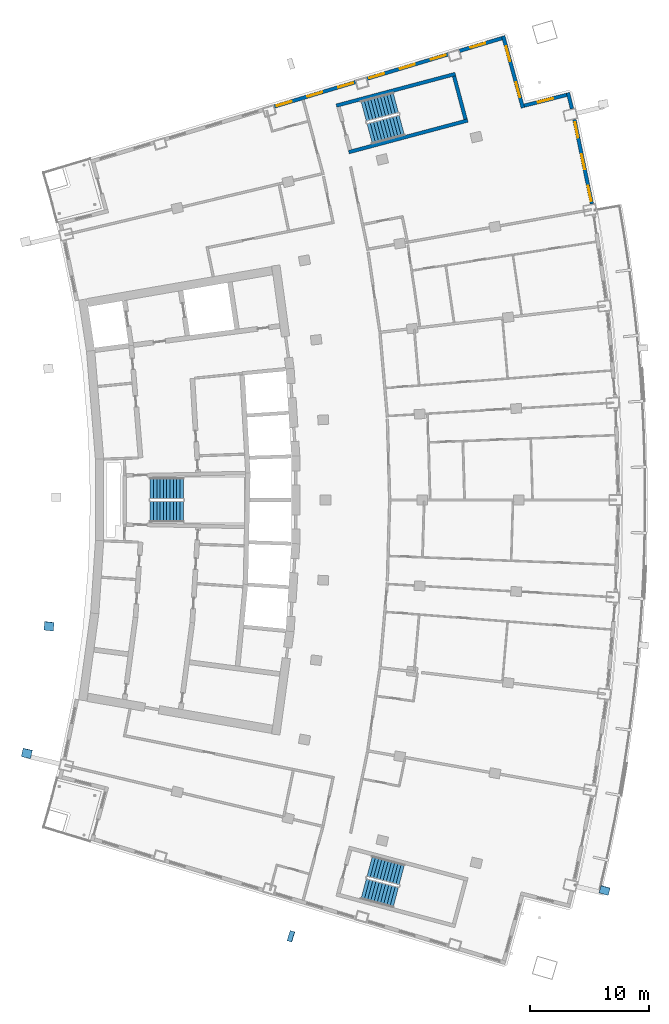
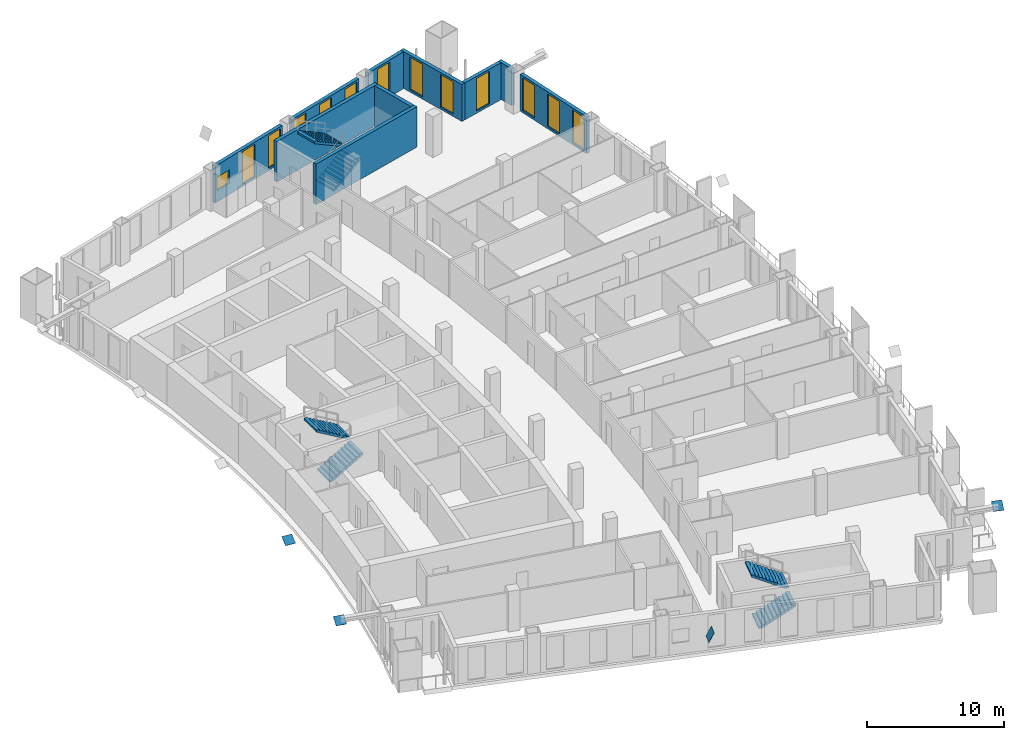
# One storey, part 17 of 21: 13 windows, 10 walls, 6 stair flights, 4 discrete accessories, 13 openings, 3 elements without a shape of their own.
"""IFC4 building model written with IfcOpenShell, lengths in metres."""

from ifc_helpers import new_model, si_unit, direction, frame, frame_2d, origin, origin_2d, place, context, subcontext, project, spatial, polyline, rectangle, outline, extrude, material, layer, layer_set, material_profile, profile_set, type_object, element, fill, aggregate, save


model = new_model("IFC4")

# Units and contexts
model_context = context("Model", 3, precision=1e-05, world=origin(), true_north=direction((0.0, 1.0)))
body_context = subcontext(model_context, "Body", "Model", "MODEL_VIEW")
ifc_project = project(units=[si_unit("LENGTHUNIT", "METRE"), si_unit("AREAUNIT", "SQUARE_METRE"), si_unit("VOLUMEUNIT", "CUBIC_METRE"), si_unit("PLANEANGLEUNIT", "RADIAN"), si_unit("MASSUNIT", "GRAM", prefix="KILO")], contexts=[model_context])

# Site, building, storey
site_placement = place(None, origin())
site = spatial("IfcSite", under=ifc_project, at=site_placement, CompositionType="ELEMENT")
building_placement = place(site_placement, origin())
building = spatial("IfcBuilding", under=site, at=building_placement, Name="Alderwake Tower", CompositionType="ELEMENT")
storey_placement = place(building_placement, frame((0.0, 0.0, 146.0)))
storey = spatial("IfcBuildingStorey", under=building, at=storey_placement, Name="L35", CompositionType="ELEMENT", Elevation=146.0)

# Walls
ifc_material_1 = material(Name="Concrete C70/85", Category="concrete")
ifc_layer_1 = layer(ifc_material_1, 0.300048828125)
ifc_layer_set_1 = layer_set([ifc_layer_1], Name="Core wall stair enclosure 300 C70-85")
wall_type_1 = type_object("IfcWallType", Name="Core wall stair enclosure 300 C70-85", PredefinedType="SHEAR", material=ifc_layer_set_1)
for number, where, z_axis, x_axis, name in (
    (1, (36.71142578125, 94.182373046875, 0.0), (0.0, 0.0, 1.0), (0.966309214305, 0.257383958996, 0.0), "Core wall CW.082"),
    (2, (37.75390625, 90.268798828125, 0.0), (0.0, 0.0, 1.0), (0.966309214305, 0.257383958996, 0.0), "Core wall CW.084"),
):
    element("IfcWall", number, at=place(storey_placement, frame(where, z_axis=z_axis, x_axis=x_axis)), inside=storey, type_object=wall_type_1, Name=name, PredefinedType="SHEAR", context=body_context, shape_type="SweptSolid", body=[
        extrude(rectangle(XDim=10.360107421875, YDim=0.300048828125, at=frame_2d((5.18017578125, 0.0))), origin(), (0.0, 0.0, 1.0), 3.60009765625),
    ])
wall_1_placement = place(storey_placement, frame((47.581298828125, 93.041748046875, 0.0), z_axis=(0.0, 0.0, 1.0), x_axis=(-0.257366821694, 0.966313778796, 0.0)))
element("IfcWall", 3, at=wall_1_placement, inside=storey, type_object=wall_type_1, Name="Core wall CW.081", PredefinedType="SHEAR", context=body_context, shape_type="SweptSolid", body=[
    extrude(rectangle(XDim=3.749755859375, YDim=0.300048828125, at=frame_2d((1.875, 0.0))), origin(), (0.0, 0.0, 1.0), 3.60009765625),
])

# Wall, openings, windows
ifc_material_2 = material(Name="Precast concrete C50/60 spandrel panel", Category="concrete")
ifc_layer_2 = layer(ifc_material_2, 0.300048828125)
ifc_layer_set_2 = layer_set([ifc_layer_2], Name="External wall EW1 Precast concrete C50/60 spandrel")
wall_type_2 = type_object("IfcWallType", Name="External wall EW1 Precast concrete C50/60 spandrel", PredefinedType="SOLIDWALL", material=ifc_layer_set_2)
wall_2_placement = place(storey_placement, frame((58.208984375, 85.916748046875, 0.0), z_axis=(0.0, 0.0, 1.0), x_axis=(-0.202747108549, 0.97923113205, 0.0)))
wall_2 = element("IfcWall", 4, at=wall_2_placement, inside=storey, type_object=wall_type_2, Name="External wall 19", PredefinedType="SOLIDWALL", context=body_context, shape_type="SweptSolid", body=[
    extrude(rectangle(XDim=7.245361328125, YDim=0.300048828125, at=frame_2d((3.62255859375, 0.0))), origin(), (0.0, 0.0, 1.0), 3.280029296875),
])
opening_1_placement = place(wall_2_placement, frame((0.2470703125, 0.0, 0.199951171875)))
opening_1 = element("IfcOpeningElement", 5, at=opening_1_placement, cuts=wall_2, Name="Opening W1", PredefinedType="OPENING", context=body_context, shape_type="SweptSolid", body=[
    extrude(rectangle(XDim=1.300048828125, YDim=2.89990234375, at=frame_2d((0.64990234375, 1.449951171875))), frame((0.0, 0.159912109375, 0.0), z_axis=(0.0, -1.0, 0.0), x_axis=(1.0, 0.0, 0.0)), (0.0, 0.0, 1.0), 0.320068359375),
])
opening_2_placement = place(wall_2_placement, frame((2.97265625, 0.0, 0.199951171875)))
opening_2 = element("IfcOpeningElement", 6, at=opening_2_placement, cuts=wall_2, Name="Opening W1", PredefinedType="OPENING", context=body_context, shape_type="SweptSolid", body=[
    extrude(rectangle(XDim=1.300048828125, YDim=2.89990234375, at=frame_2d((0.64990234375, 1.449951171875))), frame((0.0, 0.159912109375, 0.0), z_axis=(0.0, -1.0, 0.0), x_axis=(1.0, 0.0, 0.0)), (0.0, 0.0, 1.0), 0.320068359375),
])
opening_3_placement = place(wall_2_placement, frame((5.698486328125, 0.0, 0.199951171875)))
opening_3 = element("IfcOpeningElement", 7, at=opening_3_placement, cuts=wall_2, Name="Opening W1", PredefinedType="OPENING", context=body_context, shape_type="SweptSolid", body=[
    extrude(rectangle(XDim=1.300048828125, YDim=2.89990234375, at=frame_2d((0.64990234375, 1.449951171875))), frame((0.0, 0.159912109375, 0.0), z_axis=(0.0, -1.0, 0.0), x_axis=(1.0, 0.0, 0.0)), (0.0, 0.0, 1.0), 0.320068359375),
])
ifc_material_3 = material(Name="Bronze tinted glass in aluminium frame", Category="aluminium")
window_type_1 = type_object("IfcWindowType", Name="Window W1 tall fixed and vent", PartitioningType="DOUBLE_PANEL_VERTICAL", PredefinedType="WINDOW", material=ifc_material_3)
window_1_placement = place(opening_1_placement, origin())
window_1 = element("IfcWindow", 8, at=window_1_placement, inside=storey, type_object=window_type_1, Name="Window W1 tall fixed and vent", OverallHeight=2.89990234375, OverallWidth=1.300048828125, PartitioningType="DOUBLE_PANEL_VERTICAL", PredefinedType="WINDOW", context=body_context, shape_type="SweptSolid", body=[
    extrude(rectangle(XDim=1.300048828125, YDim=2.89990234375, at=frame_2d((0.64990234375, 1.449951171875))), frame((0.0, 0.030029296875, 0.0), z_axis=(0.0, -1.0, 0.0), x_axis=(1.0, 0.0, 0.0)), (0.0, 0.0, 1.0), 0.06005859375),
])
fill(opening_1, window_1)
window_2_placement = place(opening_2_placement, origin())
window_2 = element("IfcWindow", 9, at=window_2_placement, inside=storey, type_object=window_type_1, Name="Window W1 tall fixed and vent", OverallHeight=2.89990234375, OverallWidth=1.300048828125, PartitioningType="DOUBLE_PANEL_VERTICAL", PredefinedType="WINDOW", context=body_context, shape_type="SweptSolid", body=[
    extrude(rectangle(XDim=1.300048828125, YDim=2.89990234375, at=frame_2d((0.64990234375, 1.449951171875))), frame((0.0, 0.030029296875, 0.0), z_axis=(0.0, -1.0, 0.0), x_axis=(1.0, 0.0, 0.0)), (0.0, 0.0, 1.0), 0.06005859375),
])
fill(opening_2, window_2)
window_3_placement = place(opening_3_placement, origin())
window_3 = element("IfcWindow", 10, at=window_3_placement, inside=storey, type_object=window_type_1, Name="Window W1 tall fixed and vent", OverallHeight=2.89990234375, OverallWidth=1.300048828125, PartitioningType="DOUBLE_PANEL_VERTICAL", PredefinedType="WINDOW", context=body_context, shape_type="SweptSolid", body=[
    extrude(rectangle(XDim=1.300048828125, YDim=2.89990234375, at=frame_2d((0.64990234375, 1.449951171875))), frame((0.0, 0.030029296875, 0.0), z_axis=(0.0, -1.0, 0.0), x_axis=(1.0, 0.0, 0.0)), (0.0, 0.0, 1.0), 0.06005859375),
])
fill(opening_3, window_3)

# Wall
wall_3_placement = place(storey_placement, frame((56.535400390625, 93.917724609375, 0.0), z_axis=(0.0, 0.0, 1.0), x_axis=(-0.238283937636, 0.971195533899, 0.0)))
element("IfcWall", 11, at=wall_3_placement, inside=storey, type_object=wall_type_2, Name="External wall 20", PredefinedType="SOLIDWALL", context=body_context, shape_type="SweptSolid", body=[
    extrude(rectangle(XDim=1.392333984375, YDim=0.300048828125, at=frame_2d((0.6962890625, 0.0))), origin(), (0.0, 0.0, 1.0), 3.280029296875),
])

# Wall, opening, window
ifc_material_4 = material(Name="Bronze metal cladding on lightweight framing")
ifc_layer_3 = layer(ifc_material_4, 0.300048828125)
ifc_layer_set_3 = layer_set([ifc_layer_3], Name="External wall EW2 bronze metal cladding")
wall_type_3 = type_object("IfcWallType", Name="External wall EW2 bronze metal cladding", PredefinedType="SOLIDWALL", material=ifc_layer_set_3)
wall_4_placement = place(storey_placement, frame((56.09375, 95.087646484375, 0.0), z_axis=(0.0, 0.0, 1.0), x_axis=(-0.96941119971, -0.245442306614, 0.0)))
wall_4 = element("IfcWall", 12, at=wall_4_placement, inside=storey, type_object=wall_type_3, Name="External wall 21", PredefinedType="SOLIDWALL", context=body_context, shape_type="SweptSolid", body=[
    extrude(rectangle(XDim=3.6943359375, YDim=0.300048828125, at=frame_2d((1.84716796875, 0.0))), origin(), (0.0, 0.0, 1.0), 3.280029296875),
])
opening_4_placement = place(wall_4_placement, frame((1.197021484375, 0.0, 0.199951171875)))
opening_4 = element("IfcOpeningElement", 13, at=opening_4_placement, cuts=wall_4, Name="Opening W1", PredefinedType="OPENING", context=body_context, shape_type="SweptSolid", body=[
    extrude(rectangle(XDim=1.300048828125, YDim=2.89990234375, at=frame_2d((0.64990234375, 1.449951171875))), frame((0.0, 0.159912109375, 0.0), z_axis=(0.0, -1.0, 0.0), x_axis=(1.0, 0.0, 0.0)), (0.0, 0.0, 1.0), 0.320068359375),
])
window_4_placement = place(opening_4_placement, origin())
window_4 = element("IfcWindow", 14, at=window_4_placement, inside=storey, type_object=window_type_1, Name="Window W1 tall fixed and vent", OverallHeight=2.89990234375, OverallWidth=1.300048828125, PartitioningType="DOUBLE_PANEL_VERTICAL", PredefinedType="WINDOW", context=body_context, shape_type="SweptSolid", body=[
    extrude(rectangle(XDim=1.300048828125, YDim=2.89990234375, at=frame_2d((0.64990234375, 1.449951171875))), frame((0.0, 0.030029296875, 0.0), z_axis=(0.0, -1.0, 0.0), x_axis=(1.0, 0.0, 0.0)), (0.0, 0.0, 1.0), 0.06005859375),
])
fill(opening_4, window_4)

# Wall, openings, windows
wall_5_placement = place(storey_placement, frame((52.40673828125, 93.99951171875, 0.0), z_axis=(0.0, 0.0, 1.0), x_axis=(-0.265084072533, 0.964225302764, 0.0)))
wall_5 = element("IfcWall", 15, at=wall_5_placement, inside=storey, type_object=wall_type_3, Name="External wall 22", PredefinedType="SOLIDWALL", context=body_context, shape_type="SweptSolid", body=[
    extrude(rectangle(XDim=6.269287109375, YDim=0.300048828125, at=frame_2d((3.134765625, 0.0))), origin(), (0.0, 0.0, 1.0), 3.280029296875),
])
opening_5_placement = place(wall_5_placement, frame((0.917236328125, 0.0, 0.199951171875)))
opening_5 = element("IfcOpeningElement", 16, at=opening_5_placement, cuts=wall_5, Name="Opening W1", PredefinedType="OPENING", context=body_context, shape_type="SweptSolid", body=[
    extrude(rectangle(XDim=1.300048828125, YDim=2.89990234375, at=frame_2d((0.64990234375, 1.449951171875))), frame((0.0, 0.159912109375, 0.0), z_axis=(0.0, -1.0, 0.0), x_axis=(1.0, 0.0, 0.0)), (0.0, 0.0, 1.0), 0.320068359375),
])
opening_6_placement = place(wall_5_placement, frame((4.052001953125, 0.0, 0.199951171875)))
opening_6 = element("IfcOpeningElement", 17, at=opening_6_placement, cuts=wall_5, Name="Opening W1", PredefinedType="OPENING", context=body_context, shape_type="SweptSolid", body=[
    extrude(rectangle(XDim=1.300048828125, YDim=2.89990234375, at=frame_2d((0.64990234375, 1.449951171875))), frame((0.0, 0.159912109375, 0.0), z_axis=(0.0, -1.0, 0.0), x_axis=(1.0, 0.0, 0.0)), (0.0, 0.0, 1.0), 0.320068359375),
])
window_5_placement = place(opening_5_placement, origin())
window_5 = element("IfcWindow", 18, at=window_5_placement, inside=storey, type_object=window_type_1, Name="Window W1 tall fixed and vent", OverallHeight=2.89990234375, OverallWidth=1.300048828125, PartitioningType="DOUBLE_PANEL_VERTICAL", PredefinedType="WINDOW", context=body_context, shape_type="SweptSolid", body=[
    extrude(rectangle(XDim=1.300048828125, YDim=2.89990234375, at=frame_2d((0.64990234375, 1.449951171875))), frame((0.0, 0.030029296875, 0.0), z_axis=(0.0, -1.0, 0.0), x_axis=(1.0, 0.0, 0.0)), (0.0, 0.0, 1.0), 0.06005859375),
])
fill(opening_5, window_5)
window_6_placement = place(opening_6_placement, origin())
window_6 = element("IfcWindow", 19, at=window_6_placement, inside=storey, type_object=window_type_1, Name="Window W1 tall fixed and vent", OverallHeight=2.89990234375, OverallWidth=1.300048828125, PartitioningType="DOUBLE_PANEL_VERTICAL", PredefinedType="WINDOW", context=body_context, shape_type="SweptSolid", body=[
    extrude(rectangle(XDim=1.300048828125, YDim=2.89990234375, at=frame_2d((0.64990234375, 1.449951171875))), frame((0.0, 0.030029296875, 0.0), z_axis=(0.0, -1.0, 0.0), x_axis=(1.0, 0.0, 0.0)), (0.0, 0.0, 1.0), 0.06005859375),
])
fill(opening_6, window_6)

# Wall, opening, window
wall_6_placement = place(storey_placement, frame((50.640869140625, 99.856689453125, 0.0), z_axis=(0.0, 0.0, 1.0), x_axis=(-0.957777625264, -0.287510035552, 0.0)))
wall_6 = element("IfcWall", 20, at=wall_6_placement, inside=storey, type_object=wall_type_3, Name="External wall 23", PredefinedType="SOLIDWALL", context=body_context, shape_type="SweptSolid", body=[
    extrude(rectangle(XDim=3.7294921875, YDim=0.300048828125, at=frame_2d((1.86474609375, 0.0))), origin(), (0.0, 0.0, 1.0), 3.280029296875),
])
opening_7_placement = place(wall_6_placement, frame((1.465576171875, 0.0, 0.199951171875)))
opening_7 = element("IfcOpeningElement", 21, at=opening_7_placement, cuts=wall_6, Name="Opening W1", PredefinedType="OPENING", context=body_context, shape_type="SweptSolid", body=[
    extrude(rectangle(XDim=1.300048828125, YDim=2.89990234375, at=frame_2d((0.64990234375, 1.449951171875))), frame((0.0, 0.159912109375, 0.0), z_axis=(0.0, -1.0, 0.0), x_axis=(1.0, 0.0, 0.0)), (0.0, 0.0, 1.0), 0.320068359375),
])
window_7_placement = place(opening_7_placement, origin())
window_7 = element("IfcWindow", 22, at=window_7_placement, inside=storey, type_object=window_type_1, Name="Window W1 tall fixed and vent", OverallHeight=2.89990234375, OverallWidth=1.300048828125, PartitioningType="DOUBLE_PANEL_VERTICAL", PredefinedType="WINDOW", context=body_context, shape_type="SweptSolid", body=[
    extrude(rectangle(XDim=1.300048828125, YDim=2.89990234375, at=frame_2d((0.64990234375, 1.449951171875))), frame((0.0, 0.030029296875, 0.0), z_axis=(0.0, -1.0, 0.0), x_axis=(1.0, 0.0, 0.0)), (0.0, 0.0, 1.0), 0.06005859375),
])
fill(opening_7, window_7)

# Wall, openings, windows
wall_7_placement = place(storey_placement, frame((46.107666015625, 98.495849609375, 0.0), z_axis=(0.0, 0.0, 1.0), x_axis=(-0.957760288356, -0.287567783397, 0.0)))
wall_7 = element("IfcWall", 23, at=wall_7_placement, inside=storey, type_object=wall_type_3, Name="External wall 24", PredefinedType="SOLIDWALL", context=body_context, shape_type="SweptSolid", body=[
    extrude(rectangle(XDim=7.1298828125, YDim=0.300048828125, at=frame_2d((3.56494140625, 0.0))), origin(), (0.0, 0.0, 1.0), 3.280029296875),
])
opening_8_placement = place(wall_7_placement, frame((0.203857421875, 0.0, 0.199951171875)))
opening_8 = element("IfcOpeningElement", 24, at=opening_8_placement, cuts=wall_7, Name="Opening W1", PredefinedType="OPENING", context=body_context, shape_type="SweptSolid", body=[
    extrude(rectangle(XDim=1.300048828125, YDim=2.89990234375, at=frame_2d((0.64990234375, 1.449951171875))), frame((0.0, 0.159912109375, 0.0), z_axis=(0.0, -1.0, 0.0), x_axis=(1.0, 0.0, 0.0)), (0.0, 0.0, 1.0), 0.320068359375),
])
opening_9_placement = place(wall_7_placement, frame((2.914794921875, 0.0, 0.199951171875)))
opening_9 = element("IfcOpeningElement", 25, at=opening_9_placement, cuts=wall_7, Name="Opening W1", PredefinedType="OPENING", context=body_context, shape_type="SweptSolid", body=[
    extrude(rectangle(XDim=1.300048828125, YDim=2.89990234375, at=frame_2d((0.64990234375, 1.449951171875))), frame((0.0, 0.159912109375, 0.0), z_axis=(0.0, -1.0, 0.0), x_axis=(1.0, 0.0, 0.0)), (0.0, 0.0, 1.0), 0.320068359375),
])
opening_10_placement = place(wall_7_placement, frame((5.626220703125, 0.0, 0.199951171875)))
opening_10 = element("IfcOpeningElement", 26, at=opening_10_placement, cuts=wall_7, Name="Opening W1", PredefinedType="OPENING", context=body_context, shape_type="SweptSolid", body=[
    extrude(rectangle(XDim=1.300048828125, YDim=2.89990234375, at=frame_2d((0.64990234375, 1.449951171875))), frame((0.0, 0.159912109375, 0.0), z_axis=(0.0, -1.0, 0.0), x_axis=(1.0, 0.0, 0.0)), (0.0, 0.0, 1.0), 0.320068359375),
])
window_8_placement = place(opening_8_placement, origin())
window_8 = element("IfcWindow", 27, at=window_8_placement, inside=storey, type_object=window_type_1, Name="Window W1 tall fixed and vent", OverallHeight=2.89990234375, OverallWidth=1.300048828125, PartitioningType="DOUBLE_PANEL_VERTICAL", PredefinedType="WINDOW", context=body_context, shape_type="SweptSolid", body=[
    extrude(rectangle(XDim=1.300048828125, YDim=2.89990234375, at=frame_2d((0.64990234375, 1.449951171875))), frame((0.0, 0.030029296875, 0.0), z_axis=(0.0, -1.0, 0.0), x_axis=(1.0, 0.0, 0.0)), (0.0, 0.0, 1.0), 0.06005859375),
])
fill(opening_8, window_8)
window_9_placement = place(opening_9_placement, origin())
window_9 = element("IfcWindow", 28, at=window_9_placement, inside=storey, type_object=window_type_1, Name="Window W1 tall fixed and vent", OverallHeight=2.89990234375, OverallWidth=1.300048828125, PartitioningType="DOUBLE_PANEL_VERTICAL", PredefinedType="WINDOW", context=body_context, shape_type="SweptSolid", body=[
    extrude(rectangle(XDim=1.300048828125, YDim=2.89990234375, at=frame_2d((0.64990234375, 1.449951171875))), frame((0.0, 0.030029296875, 0.0), z_axis=(0.0, -1.0, 0.0), x_axis=(1.0, 0.0, 0.0)), (0.0, 0.0, 1.0), 0.06005859375),
])
fill(opening_9, window_9)
window_10_placement = place(opening_10_placement, origin())
window_10 = element("IfcWindow", 29, at=window_10_placement, inside=storey, type_object=window_type_1, Name="Window W1 tall fixed and vent", OverallHeight=2.89990234375, OverallWidth=1.300048828125, PartitioningType="DOUBLE_PANEL_VERTICAL", PredefinedType="WINDOW", context=body_context, shape_type="SweptSolid", body=[
    extrude(rectangle(XDim=1.300048828125, YDim=2.89990234375, at=frame_2d((0.64990234375, 1.449951171875))), frame((0.0, 0.030029296875, 0.0), z_axis=(0.0, -1.0, 0.0), x_axis=(1.0, 0.0, 0.0)), (0.0, 0.0, 1.0), 0.06005859375),
])
fill(opening_10, window_10)

wall_8_placement = place(storey_placement, frame((38.317626953125, 96.156982421875, 0.0), z_axis=(0.0, 0.0, 1.0), x_axis=(-0.957766887781, -0.287545802735, 0.0)))
wall_8 = element("IfcWall", 30, at=wall_8_placement, inside=storey, type_object=wall_type_3, Name="External wall 25", PredefinedType="SOLIDWALL", context=body_context, shape_type="SweptSolid", body=[
    extrude(rectangle(XDim=7.12939453125, YDim=0.300048828125, at=frame_2d((3.564697265625, 0.0))), origin(), (0.0, 0.0, 1.0), 3.280029296875),
])
opening_11_placement = place(wall_8_placement, frame((0.20361328125, 0.0, 0.199951171875)))
opening_11 = element("IfcOpeningElement", 31, at=opening_11_placement, cuts=wall_8, Name="Opening W1", PredefinedType="OPENING", context=body_context, shape_type="SweptSolid", body=[
    extrude(rectangle(XDim=1.300048828125, YDim=2.89990234375, at=frame_2d((0.64990234375, 1.449951171875))), frame((0.0, 0.159912109375, 0.0), z_axis=(0.0, -1.0, 0.0), x_axis=(1.0, 0.0, 0.0)), (0.0, 0.0, 1.0), 0.320068359375),
])
opening_12_placement = place(wall_8_placement, frame((2.914794921875, 0.0, 0.199951171875)))
opening_12 = element("IfcOpeningElement", 32, at=opening_12_placement, cuts=wall_8, Name="Opening W1", PredefinedType="OPENING", context=body_context, shape_type="SweptSolid", body=[
    extrude(rectangle(XDim=1.300048828125, YDim=2.89990234375, at=frame_2d((0.64990234375, 1.449951171875))), frame((0.0, 0.159912109375, 0.0), z_axis=(0.0, -1.0, 0.0), x_axis=(1.0, 0.0, 0.0)), (0.0, 0.0, 1.0), 0.320068359375),
])
opening_13_placement = place(wall_8_placement, frame((5.6259765625, 0.0, 1.0)))
opening_13 = element("IfcOpeningElement", 33, at=opening_13_placement, cuts=wall_8, Name="Opening W2", PredefinedType="OPENING", context=body_context, shape_type="SweptSolid", body=[
    extrude(rectangle(XDim=1.300048828125, YDim=1.199951171875, at=frame_2d((0.64990234375, 0.60009765625))), frame((0.0, 0.159912109375, 0.0), z_axis=(0.0, -1.0, 0.0), x_axis=(1.0, 0.0, 0.0)), (0.0, 0.0, 1.0), 0.320068359375),
])
window_11_placement = place(opening_11_placement, origin())
window_11 = element("IfcWindow", 34, at=window_11_placement, inside=storey, type_object=window_type_1, Name="Window W1 tall fixed and vent", OverallHeight=2.89990234375, OverallWidth=1.300048828125, PartitioningType="DOUBLE_PANEL_VERTICAL", PredefinedType="WINDOW", context=body_context, shape_type="SweptSolid", body=[
    extrude(rectangle(XDim=1.300048828125, YDim=2.89990234375, at=frame_2d((0.64990234375, 1.449951171875))), frame((0.0, 0.030029296875, 0.0), z_axis=(0.0, -1.0, 0.0), x_axis=(1.0, 0.0, 0.0)), (0.0, 0.0, 1.0), 0.06005859375),
])
fill(opening_11, window_11)
window_12_placement = place(opening_12_placement, origin())
window_12 = element("IfcWindow", 35, at=window_12_placement, inside=storey, type_object=window_type_1, Name="Window W1 tall fixed and vent", OverallHeight=2.89990234375, OverallWidth=1.300048828125, PartitioningType="DOUBLE_PANEL_VERTICAL", PredefinedType="WINDOW", context=body_context, shape_type="SweptSolid", body=[
    extrude(rectangle(XDim=1.300048828125, YDim=2.89990234375, at=frame_2d((0.64990234375, 1.449951171875))), frame((0.0, 0.030029296875, 0.0), z_axis=(0.0, -1.0, 0.0), x_axis=(1.0, 0.0, 0.0)), (0.0, 0.0, 1.0), 0.06005859375),
])
fill(opening_12, window_12)
ifc_material_5 = material(Name="Bronze tinted glass in aluminium frame", Category="aluminium")
window_type_2 = type_object("IfcWindowType", Name="Window W2 kitchen and bath", PartitioningType="SINGLE_PANEL", PredefinedType="WINDOW", material=ifc_material_5)
window_13_placement = place(opening_13_placement, origin())
window_13 = element("IfcWindow", 36, at=window_13_placement, inside=storey, type_object=window_type_2, Name="Window W2 kitchen and bath", OverallHeight=1.199951171875, OverallWidth=1.300048828125, PartitioningType="SINGLE_PANEL", PredefinedType="WINDOW", context=body_context, shape_type="SweptSolid", body=[
    extrude(rectangle(XDim=1.300048828125, YDim=1.199951171875, at=frame_2d((0.64990234375, 0.60009765625))), frame((0.0, 0.030029296875, 0.0), z_axis=(0.0, -1.0, 0.0), x_axis=(1.0, 0.0, 0.0)), (0.0, 0.0, 1.0), 0.06005859375),
])
fill(opening_13, window_13)

# Stair, stair flights
ifc_material_6 = material(Name="Concrete C40/50", Category="concrete")
stair_type = type_object("IfcStairType", Name="Core exit stair", PredefinedType="HALF_TURN_STAIR", material=ifc_material_6)
stair_1_placement = place(storey_placement, origin())
stair_1 = element("IfcStair", 37, at=stair_1_placement, inside=storey, type_object=stair_type, Name="L35 Exit Stair B", PredefinedType="HALF_TURN_STAIR")
ifc_material_7 = material(Name="Concrete C40/50", Category="concrete")
ifc_layer_4 = layer(ifc_material_7, 0.14990234375)
ifc_layer_set_4 = layer_set([ifc_layer_4], Name="Core stair flight")
stair_flight_type = type_object("IfcStairFlightType", Name="Core stair flight", PredefinedType="STRAIGHT", material=ifc_layer_set_4)
stair_flight_1_placement = place(storey_placement, frame((21.0400390625, 60.02490234375, 0.0), z_axis=(0.0, 0.0, 1.0), x_axis=(1.0, 0.0, 0.0)))
stair_flight_1 = element("IfcStairFlight", 38, at=stair_flight_1_placement, type_object=stair_flight_type, Name="ST-B flight 1", NumberOfRisers=11, NumberOfTreads=10, PredefinedType="STRAIGHT", RiserHeight=0.163636364, TreadLength=0.28, context=body_context, shape_type="SweptSolid", body=[
    extrude(outline(polyline([(0.0, 0.0), (0.0, 0.16357421875), (0.280029296875, 0.16357421875), (0.280029296875, 0.327392578125), (0.56005859375, 0.327392578125), (0.56005859375, 0.490966796875), (0.840087890625, 0.490966796875), (0.840087890625, 0.654541015625), (1.1201171875, 0.654541015625), (1.1201171875, 0.818115234375), (1.39990234375, 0.818115234375), (1.39990234375, 0.98193359375), (1.679931640625, 0.98193359375), (1.679931640625, 1.1455078125), (1.9599609375, 1.1455078125), (1.9599609375, 1.30908203125), (2.239990234375, 1.30908203125), (2.239990234375, 1.47265625), (2.52001953125, 1.47265625), (2.52001953125, 1.636474609375), (2.800048828125, 1.636474609375), (2.800048828125, 1.800048828125), (2.800048828125, 1.462646484375), (0.297119140625, 0.0), (0.0, 0.0)])), frame((0.0, 0.89990234375, 0.0), z_axis=(0.0, -1.0, 0.0), x_axis=(1.0, 0.0, 0.0)), (0.0, 0.0, 1.0), 1.800048828125),
])
stair_flight_2_placement = place(storey_placement, frame((23.840087890625, 61.97509765625, 1.800048828125), z_axis=(0.0, 0.0, 1.0), x_axis=(-1.0, 0.0, 0.0)))
stair_flight_2 = element("IfcStairFlight", 39, at=stair_flight_2_placement, type_object=stair_flight_type, Name="ST-B flight 2", NumberOfRisers=11, NumberOfTreads=10, PredefinedType="STRAIGHT", RiserHeight=0.163636364, TreadLength=0.28, context=body_context, shape_type="SweptSolid", body=[
    extrude(outline(polyline([(0.0, 0.0), (0.0, 0.16357421875), (0.280029296875, 0.16357421875), (0.280029296875, 0.327392578125), (0.56005859375, 0.327392578125), (0.56005859375, 0.490966796875), (0.840087890625, 0.490966796875), (0.840087890625, 0.654541015625), (1.1201171875, 0.654541015625), (1.1201171875, 0.818115234375), (1.39990234375, 0.818115234375), (1.39990234375, 0.98193359375), (1.679931640625, 0.98193359375), (1.679931640625, 1.1455078125), (1.9599609375, 1.1455078125), (1.9599609375, 1.30908203125), (2.239990234375, 1.30908203125), (2.239990234375, 1.47265625), (2.52001953125, 1.47265625), (2.52001953125, 1.636474609375), (2.800048828125, 1.636474609375), (2.800048828125, 1.800048828125), (2.800048828125, 1.462646484375), (0.297119140625, 0.0), (0.0, 0.0)])), frame((0.0, 0.89990234375, 0.0), z_axis=(0.0, -1.0, 0.0), x_axis=(1.0, 0.0, 0.0)), (0.0, 0.0, 1.0), 1.800048828125),
])
aggregate(stair_1, [stair_flight_1, stair_flight_2])

stair_2_placement = place(storey_placement, origin())
stair_2 = element("IfcStair", 40, at=stair_2_placement, inside=storey, type_object=stair_type, Name="L35 Exit Stair A", PredefinedType="HALF_TURN_STAIR")
stair_flight_3_placement = place(storey_placement, frame((39.512939453125, 91.823974609375, 0.0), z_axis=(0.0, 0.0, 1.0), x_axis=(0.966309627437, 0.257382407951, 0.0)))
stair_flight_3 = element("IfcStairFlight", 41, at=stair_flight_3_placement, type_object=stair_flight_type, Name="ST-A flight 1", NumberOfRisers=11, NumberOfTreads=10, PredefinedType="STRAIGHT", RiserHeight=0.163636364, TreadLength=0.28, context=body_context, shape_type="SweptSolid", body=[
    extrude(outline(polyline([(0.0, 0.0), (0.0, 0.16357421875), (0.280029296875, 0.16357421875), (0.280029296875, 0.327392578125), (0.56005859375, 0.327392578125), (0.56005859375, 0.490966796875), (0.840087890625, 0.490966796875), (0.840087890625, 0.654541015625), (1.1201171875, 0.654541015625), (1.1201171875, 0.818115234375), (1.39990234375, 0.818115234375), (1.39990234375, 0.98193359375), (1.679931640625, 0.98193359375), (1.679931640625, 1.1455078125), (1.9599609375, 1.1455078125), (1.9599609375, 1.30908203125), (2.239990234375, 1.30908203125), (2.239990234375, 1.47265625), (2.52001953125, 1.47265625), (2.52001953125, 1.636474609375), (2.800048828125, 1.636474609375), (2.800048828125, 1.800048828125), (2.800048828125, 1.462646484375), (0.297119140625, 0.0), (0.0, 0.0)])), frame((0.0, 0.89990234375, 0.0), z_axis=(0.0, -1.0, 0.0), x_axis=(1.0, 0.0, 0.0)), (0.0, 0.0, 1.0), 1.800048828125),
])
stair_flight_4_placement = place(storey_placement, frame((41.716796875, 94.428955078125, 1.800048828125), z_axis=(0.0, 0.0, 1.0), x_axis=(-0.966309627437, -0.257382407951, 0.0)))
stair_flight_4 = element("IfcStairFlight", 42, at=stair_flight_4_placement, type_object=stair_flight_type, Name="ST-A flight 2", NumberOfRisers=11, NumberOfTreads=10, PredefinedType="STRAIGHT", RiserHeight=0.163636364, TreadLength=0.28, context=body_context, shape_type="SweptSolid", body=[
    extrude(outline(polyline([(0.0, 0.0), (0.0, 0.16357421875), (0.280029296875, 0.16357421875), (0.280029296875, 0.327392578125), (0.56005859375, 0.327392578125), (0.56005859375, 0.490966796875), (0.840087890625, 0.490966796875), (0.840087890625, 0.654541015625), (1.1201171875, 0.654541015625), (1.1201171875, 0.818115234375), (1.39990234375, 0.818115234375), (1.39990234375, 0.98193359375), (1.679931640625, 0.98193359375), (1.679931640625, 1.1455078125), (1.9599609375, 1.1455078125), (1.9599609375, 1.30908203125), (2.239990234375, 1.30908203125), (2.239990234375, 1.47265625), (2.52001953125, 1.47265625), (2.52001953125, 1.636474609375), (2.800048828125, 1.636474609375), (2.800048828125, 1.800048828125), (2.800048828125, 1.462646484375), (0.297119140625, 0.0), (0.0, 0.0)])), frame((0.0, 0.89990234375, 0.0), z_axis=(0.0, -1.0, 0.0), x_axis=(1.0, 0.0, 0.0)), (0.0, 0.0, 1.0), 1.800048828125),
])
aggregate(stair_2, [stair_flight_3, stair_flight_4])

stair_3_placement = place(storey_placement, origin())
stair_3 = element("IfcStair", 43, at=stair_3_placement, inside=storey, type_object=stair_type, Name="L35 Exit Stair C", PredefinedType="HALF_TURN_STAIR")
stair_flight_5_placement = place(storey_placement, frame((39.010986328125, 28.291748046875, 0.0), z_axis=(0.0, 0.0, 1.0), x_axis=(0.966309627437, -0.257382407951, 0.0)))
stair_flight_5 = element("IfcStairFlight", 44, at=stair_flight_5_placement, type_object=stair_flight_type, Name="ST-C flight 1", NumberOfRisers=11, NumberOfTreads=10, PredefinedType="STRAIGHT", RiserHeight=0.163636364, TreadLength=0.28, context=body_context, shape_type="SweptSolid", body=[
    extrude(outline(polyline([(0.0, 0.0), (0.0, 0.16357421875), (0.280029296875, 0.16357421875), (0.280029296875, 0.327392578125), (0.56005859375, 0.327392578125), (0.56005859375, 0.490966796875), (0.840087890625, 0.490966796875), (0.840087890625, 0.654541015625), (1.1201171875, 0.654541015625), (1.1201171875, 0.818115234375), (1.39990234375, 0.818115234375), (1.39990234375, 0.98193359375), (1.679931640625, 0.98193359375), (1.679931640625, 1.1455078125), (1.9599609375, 1.1455078125), (1.9599609375, 1.30908203125), (2.239990234375, 1.30908203125), (2.239990234375, 1.47265625), (2.52001953125, 1.47265625), (2.52001953125, 1.636474609375), (2.800048828125, 1.636474609375), (2.800048828125, 1.800048828125), (2.800048828125, 1.462646484375), (0.297119140625, 0.0), (0.0, 0.0)])), frame((0.0, 0.89990234375, 0.0), z_axis=(0.0, -1.0, 0.0), x_axis=(1.0, 0.0, 0.0)), (0.0, 0.0, 1.0), 1.800048828125),
])
stair_flight_6_placement = place(storey_placement, frame((42.218505859375, 29.455322265625, 1.800048828125), z_axis=(0.0, 0.0, 1.0), x_axis=(-0.966309627437, 0.257382407951, 0.0)))
stair_flight_6 = element("IfcStairFlight", 45, at=stair_flight_6_placement, type_object=stair_flight_type, Name="ST-C flight 2", NumberOfRisers=11, NumberOfTreads=10, PredefinedType="STRAIGHT", RiserHeight=0.163636364, TreadLength=0.28, context=body_context, shape_type="SweptSolid", body=[
    extrude(outline(polyline([(0.0, 0.0), (0.0, 0.16357421875), (0.280029296875, 0.16357421875), (0.280029296875, 0.327392578125), (0.56005859375, 0.327392578125), (0.56005859375, 0.490966796875), (0.840087890625, 0.490966796875), (0.840087890625, 0.654541015625), (1.1201171875, 0.654541015625), (1.1201171875, 0.818115234375), (1.39990234375, 0.818115234375), (1.39990234375, 0.98193359375), (1.679931640625, 0.98193359375), (1.679931640625, 1.1455078125), (1.9599609375, 1.1455078125), (1.9599609375, 1.30908203125), (2.239990234375, 1.30908203125), (2.239990234375, 1.47265625), (2.52001953125, 1.47265625), (2.52001953125, 1.636474609375), (2.800048828125, 1.636474609375), (2.800048828125, 1.800048828125), (2.800048828125, 1.462646484375), (0.297119140625, 0.0), (0.0, 0.0)])), frame((0.0, 0.89990234375, 0.0), z_axis=(0.0, -1.0, 0.0), x_axis=(1.0, 0.0, 0.0)), (0.0, 0.0, 1.0), 1.800048828125),
])
aggregate(stair_3, [stair_flight_5, stair_flight_6])

# Discrete accessories
ifc_material_8 = material(Name="Steel ASTM A572 Grade 50", Category="steel")
ifc_material_profile_1 = material_profile(ifc_material_8, rectangle(XDim=0.800048828125, YDim=0.800048828125, at=origin_2d()), Name="BOX 800X800X50 cap")
ifc_profile_set_1 = profile_set([ifc_material_profile_1], Name="Steel ASTM A572 Grade 50")
discrete_accessory_type_1 = type_object("IfcDiscreteAccessoryType", Name="End cap plate BOX 800X800X50", PredefinedType="USERDEFINED", material=ifc_profile_set_1)
for number, where, z_axis, x_axis, name in (
    (46, (59.287353515625, 28.15966796875, 3.299560546875), (-0.17127028554, -0.587212407567, 0.791105604639), (0.96, -0.28, 0.0), "End cap BRF3.1.2B1 X"),
    (47, (10.669189453125, 39.6826171875, 3.1533203125), (-0.097461175546, -0.438575289956, 0.893394109171), (0.976187060184, -0.216930457819, 0.0), "End cap BRR3.1.2B1 X"),
    (48, (12.5341796875, 50.381591796875, 3.1533203125), (-0.048728980643, -0.446682322562, 0.893364645123), (0.994102176608, -0.108447510175, 0.0), "End cap BRR3.1.4B1 X"),
):
    element("IfcDiscreteAccessory", number, at=place(storey_placement, frame(where, z_axis=z_axis, x_axis=x_axis)), inside=storey, type_object=discrete_accessory_type_1, Name=name, ObjectType="END CAP", PredefinedType="USERDEFINED", context=body_context, shape_type="SweptSolid", body=[
        extrude(rectangle(XDim=0.800048828125, YDim=0.800048828125, at=origin_2d()), origin(), (0.0, 0.0, 1.0), 0.030029296875),
    ])
ifc_material_9 = material(Name="Steel ASTM A572 Grade 50", Category="steel")
ifc_material_profile_2 = material_profile(ifc_material_9, rectangle(XDim=0.89990234375, YDim=0.89990234375, at=origin_2d()), Name="BOX 900X900X55 cap")
ifc_profile_set_2 = profile_set([ifc_material_profile_2], Name="Steel ASTM A572 Grade 50")
discrete_accessory_type_2 = type_object("IfcDiscreteAccessoryType", Name="End cap plate BOX 900X900X55", PredefinedType="USERDEFINED", material=ifc_profile_set_2)
discrete_accessory_placement = place(storey_placement, frame((32.909912109375, 24.281982421875, 3.44970703125), z_axis=(-0.857379595639, 0.258831576042, 0.444866771322), x_axis=(-0.289004591936, -0.957327710787, 0.0)))
element("IfcDiscreteAccessory", 49, at=discrete_accessory_placement, inside=storey, type_object=discrete_accessory_type_2, Name="End cap BRS3.1.0B1 X", ObjectType="END CAP", PredefinedType="USERDEFINED", context=body_context, shape_type="SweptSolid", body=[
    extrude(rectangle(XDim=0.89990234375, YDim=0.89990234375, at=origin_2d()), origin(), (0.0, 0.0, 1.0), 0.0302734375),
])

save(model, "model.ifc")
